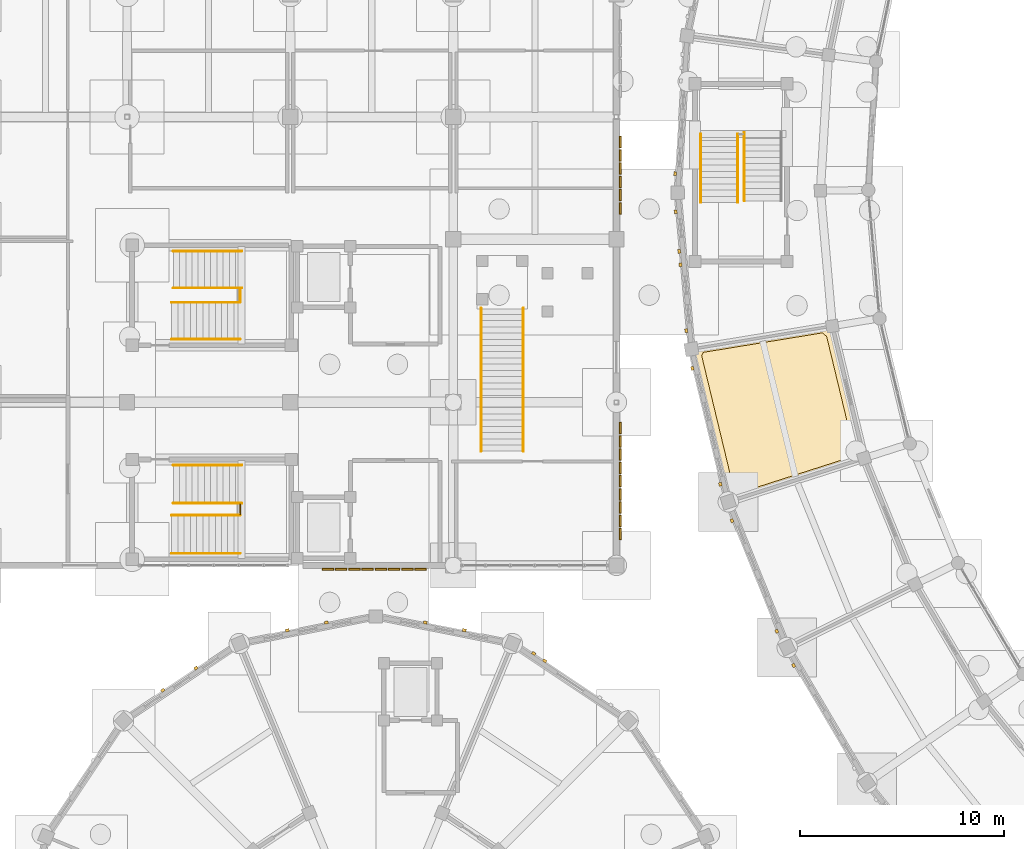
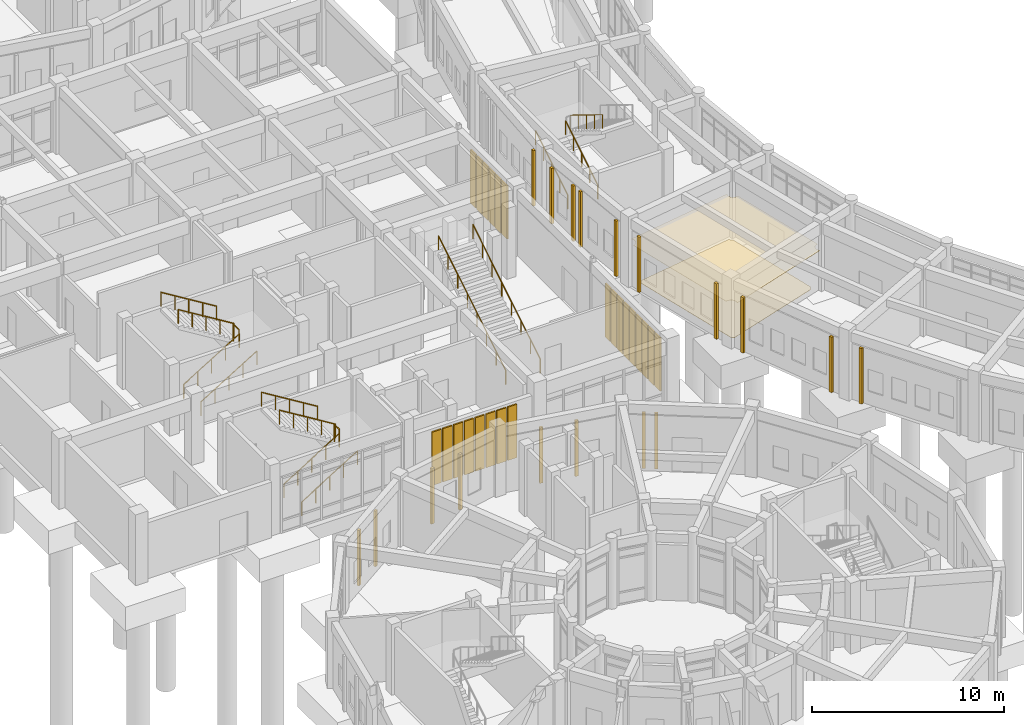
# One storey, part 141 of 153: 23 shading devices, 20 coverings, 15 railings.
"""IFC4 building model written with IfcOpenShell, lengths in metres."""

from ifc_helpers import new_model, si_unit, direction, frame, origin, origin_2d, place, context, subcontext, project, spatial, polyline, rectangle, circle, outline, extrude, material, layer, layer_set, type_object, element, save


model = new_model("IFC4")

# Units and contexts
model_context = context("Model", 3, precision=1e-05, world=origin(), true_north=direction((0.0, 1.0)))
body_context = subcontext(model_context, "Body", "Model", "MODEL_VIEW")
ifc_project = project(units=[si_unit("LENGTHUNIT", "METRE"), si_unit("AREAUNIT", "SQUARE_METRE"), si_unit("VOLUMEUNIT", "CUBIC_METRE"), si_unit("PLANEANGLEUNIT", "RADIAN"), si_unit("MASSUNIT", "GRAM", prefix="KILO")], contexts=[model_context])

# Site, building, storey
site_placement = place(None, origin())
site = spatial("IfcSite", under=ifc_project, at=site_placement, CompositionType="ELEMENT")
building_placement = place(site_placement, origin())
building = spatial("IfcBuilding", under=site, at=building_placement, Name="Celadon Cloister-Ring School", CompositionType="ELEMENT")
storey_placement = place(building_placement, origin())
storey = spatial("IfcBuildingStorey", under=building, at=storey_placement, Name="L00", CompositionType="ELEMENT", Elevation=0.0)

# Coverings
ifc_material_1 = material(Name="Mineral-fibre acoustic ceiling board")
ifc_layer_1 = layer(ifc_material_1, 0.02001953125)
ifc_layer_set_1 = layer_set([ifc_layer_1], Name="Mineral-fibre acoustic ceiling board")
covering_type_1 = type_object("IfcCoveringType", Name="CV-CL1", PredefinedType="CEILING", material=ifc_layer_set_1)
covering_1_placement = place(storey_placement, frame((0.0, 0.0, 2.550048828125)))
element("IfcCovering", 1, at=covering_1_placement, inside=storey, type_object=covering_type_1, Name="Acoustic Ceiling 0006", PredefinedType="CEILING", context=body_context, shape_type="SweptSolid", body=[
    extrude(outline(polyline([(43.946044921875, 45.009033203125), (37.867919921875, 43.052001953125), (37.822021484375, 43.0439453125), (37.830078125, 43.117919921875), (37.81494140625, 43.218017578125), (37.7890625, 43.281005859375), (37.72900390625, 43.362060546875), (37.64794921875, 43.422119140625), (37.552001953125, 43.4560546875), (37.450927734375, 43.4609375), (37.384033203125, 43.447998046875), (35.742919921875, 50.26806640625), (35.81396484375, 50.2880859375), (35.90087890625, 50.340087890625), (35.948974609375, 50.387939453125), (36.0009765625, 50.47509765625), (36.02490234375, 50.572998046875), (36.02001953125, 50.674072265625), (35.986083984375, 50.77001953125), (35.947998046875, 50.826904296875), (35.992919921875, 50.840087890625), (42.2451171875, 51.864013671875), (42.297119140625, 51.864013671875), (42.27197265625, 51.76806640625), (42.27587890625, 51.675048828125), (42.30810546875, 51.5859375), (42.364013671875, 51.510986328125), (42.43896484375, 51.455078125), (42.528076171875, 51.423095703125), (42.62109375, 51.4189453125), (42.7041015625, 51.43798828125), (44.114990234375, 45.573974609375), (44.028076171875, 45.552001953125), (43.947021484375, 45.5029296875), (43.884033203125, 45.43408203125), (43.843994140625, 45.34912109375), (43.830078125, 45.256103515625), (43.843994140625, 45.1630859375), (43.884033203125, 45.077880859375), (43.946044921875, 45.009033203125)])), origin(), (0.0, 0.0, 1.0), 0.02001953125),
])
ifc_material_2 = material(Name="Polished cement-marble terrazzo tile", Category="masonry")
ifc_layer_2 = layer(ifc_material_2, 0.01806640625)
ifc_layer_set_2 = layer_set([ifc_layer_2], Name="Polished cement-marble terrazzo tile")
covering_type_2 = type_object("IfcCoveringType", Name="CV-FL1", PredefinedType="FLOORING", material=ifc_layer_set_2)
covering_2_placement = place(storey_placement, origin())
element("IfcCovering", 2, at=covering_2_placement, inside=storey, type_object=covering_type_2, Name="Terrazzo Flooring 0005", PredefinedType="FLOORING", context=body_context, shape_type="SweptSolid", body=[
    extrude(outline(polyline([(36.180908203125, 50.283935546875), (36.18310546875, 50.287109375), (36.200927734375, 50.31591796875), (36.2119140625, 50.3369140625), (36.22705078125, 50.367919921875), (36.236083984375, 50.39111328125), (36.248046875, 50.423095703125), (36.2548828125, 50.446044921875), (36.2548828125, 50.447998046875), (42.125, 51.407958984375), (42.14208984375, 51.385009765625), (42.156982421875, 51.365966796875), (42.177978515625, 51.343017578125), (42.196044921875, 51.324951171875), (42.218994140625, 51.303955078125), (42.238037109375, 51.2890625), (42.262939453125, 51.27001953125), (42.283935546875, 51.256103515625), (42.30908203125, 51.240966796875), (43.674072265625, 45.569091796875), (43.6689453125, 45.56201171875), (43.653076171875, 45.534912109375), (43.64208984375, 45.513916015625), (43.6279296875, 45.485107421875), (43.618896484375, 45.462890625), (43.60791015625, 45.43310546875), (43.60107421875, 45.409912109375), (43.593994140625, 45.37890625), (43.589111328125, 45.35498046875), (43.5859375, 45.3369140625), (37.922119140625, 43.52099609375), (37.9140625, 43.530029296875), (37.89697265625, 43.547119140625), (37.8720703125, 43.570068359375), (37.85302734375, 43.5849609375), (37.825927734375, 43.60595703125), (37.804931640625, 43.618896484375), (37.781982421875, 43.633056640625), (36.180908203125, 50.283935546875)])), origin(), (0.0, 0.0, 1.0), 0.01806640625),
])
ifc_material_3 = material(Name="Perforated terracotta clay brick masonry", Category="masonry")
ifc_layer_3 = layer(ifc_material_3, 0.139892578125)
ifc_layer_set_3 = layer_set([ifc_layer_3], Name="Perforated terracotta clay brick masonry")
covering_type_3 = type_object("IfcCoveringType", Name="CV-SC1", PredefinedType="CLADDING", material=ifc_layer_set_3)
for number, where, z_axis, x_axis, name in (
    (3, (34.884033203125, 59.217041015625, 0.0), (0.0, 0.0, 1.0), (0.06028200911, 0.99818138601, 0.0), "Brick Screen Rib 0021"),
    (4, (35.424072265625, 51.514892578125, 0.0), (0.0, 0.0, 1.0), (-0.087746881202, 0.996142803437, 0.0), "Brick Screen Rib 0025"),
    (5, (35.138916015625, 54.751953125, 0.0), (0.0, 0.0, 1.0), (-0.087746881202, 0.996142803437, 0.0), "Brick Screen Rib 0026"),
    (6, (35.08203125, 55.39990234375, 0.0), (0.0, 0.0, 1.0), (-0.087746881202, 0.996142803437, 0.0), "Brick Screen Rib 0027"),
    (7, (34.910888671875, 57.342041015625, 0.0), (0.0, 0.0, 1.0), (-0.087746881202, 0.996142803437, 0.0), "Brick Screen Rib 0028"),
    (8, (37.095947265625, 43.97705078125, 0.0), (0.0, 0.0, 1.0), (-0.233988401232, 0.972239388263, 0.0), "Brick Screen Rib 0029"),
    (9, (35.72705078125, 49.6650390625, 0.0), (0.0, 0.0, 1.0), (-0.233988401232, 0.972239388263, 0.0), "Brick Screen Rib 0030"),
    (10, (39.863037109375, 36.77001953125, 0.0), (0.0, 0.0, 1.0), (-0.375205264473, 0.926941750873, 0.0), "Brick Screen Rib 0031"),
    (11, (37.66796875, 42.19189453125, 0.0), (0.0, 0.0, 1.0), (-0.375205264473, 0.926941750873, 0.0), "Brick Screen Rib 0032"),
    (12, (40.694091796875, 35.089111328125, 0.0), (0.0, 0.0, 1.0), (-0.507809026694, 0.861469670045, 0.0), "Brick Screen Rib 0034"),
    (13, (27.94189453125, 35.681884765625, 0.0), (0.0, 0.0, 1.0), (0.831392031959, -0.555686322663, 0.0), "Brick Screen Rib 0572"),
    (14, (28.48291015625, 35.321044921875, 0.0), (0.0, 0.0, 1.0), (0.831392031959, -0.555686322663, 0.0), "Brick Screen Rib 0573"),
    (15, (22.626953125, 37.197998046875, 0.0), (0.0, 0.0, 1.0), (0.980775064153, -0.195141675546, 0.0), "Brick Screen Rib 0576"),
    (16, (24.5390625, 36.81689453125, 0.0), (0.0, 0.0, 1.0), (0.980775064153, -0.195141675546, 0.0), "Brick Screen Rib 0577"),
    (17, (15.861083984375, 36.81689453125, 0.0), (0.0, 0.0, 1.0), (0.980775064153, 0.195141675546, 0.0), "Brick Screen Rib 0578"),
    (18, (17.77294921875, 37.197998046875, 0.0), (0.0, 0.0, 1.0), (0.980775064153, 0.195141675546, 0.0), "Brick Screen Rib 0579"),
    (19, (9.756103515625, 33.8759765625, 0.0), (0.0, 0.0, 1.0), (0.831392031959, 0.555686322663, 0.0), "Brick Screen Rib 0580"),
    (20, (11.376953125, 34.9599609375, 0.0), (0.0, 0.0, 1.0), (0.831392031959, 0.555686322663, 0.0), "Brick Screen Rib 0581"),
):
    element("IfcCovering", number, at=place(storey_placement, frame(where, z_axis=z_axis, x_axis=x_axis)), inside=storey, type_object=covering_type_3, Name=name, PredefinedType="CLADDING", context=body_context, shape_type="SweptSolid", body=[
        extrude(rectangle(XDim=0.179931640625, YDim=0.139892578125, at=origin_2d()), origin(), (0.0, 0.0, 1.0), 3.530029296875),
    ])

# Railings
ifc_material_4 = material(Name="Structural steel S355JR", Category="steel")
railing_type_1 = type_object("IfcRailingType", Name="RL-BL2", PredefinedType="BALUSTRADE", material=ifc_material_4)
railing_1_placement = place(storey_placement, frame((13.544921875, 42.5, 2.25)))
element("IfcRailing", 21, at=railing_1_placement, inside=storey, type_object=railing_type_1, Name="Interior Guard 0005", PredefinedType="BALUSTRADE", context=body_context, shape_type="SweptSolid", body=[
    extrude(circle(Radius=0.02392578125, at=origin_2d()), frame((0.0, 0.0, 1.09619140625), z_axis=(0.0, 1.0, 0.0), x_axis=(-1.0, 0.0, 0.0)), (0.0, 0.0, 1.0), 0.5),
    extrude(circle(Radius=0.02099609375, at=origin_2d()), origin(), (0.0, 0.0, 1.0), 1.072021484375),
    extrude(circle(Radius=0.02099609375, at=origin_2d()), frame((0.0, 0.5, 0.0)), (0.0, 0.0, 1.0), 1.072021484375),
])
railing_2_placement = place(storey_placement, frame((13.544921875, 52.93994140625, 2.25)))
element("IfcRailing", 22, at=railing_2_placement, inside=storey, type_object=railing_type_1, Name="Interior Guard 0040", PredefinedType="BALUSTRADE", context=body_context, shape_type="SweptSolid", body=[
    extrude(circle(Radius=0.02392578125, at=origin_2d()), frame((0.0, 0.0, 1.09619140625), z_axis=(0.0, 1.0, 0.0), x_axis=(-1.0, 0.0, 0.0)), (0.0, 0.0, 1.0), 0.6201171875),
    extrude(circle(Radius=0.02099609375, at=origin_2d()), origin(), (0.0, 0.0, 1.0), 1.072021484375),
    extrude(circle(Radius=0.02099609375, at=origin_2d()), frame((0.0, 0.6201171875, 0.0)), (0.0, 0.0, 1.0), 1.072021484375),
])
ifc_material_5 = material(Name="Structural steel S355JR", Category="steel")
railing_type_2 = type_object("IfcRailingType", Name="RL-HR1", PredefinedType="HANDRAIL", material=ifc_material_5)
for number, where, name in (
    (23, (10.18994140625, 40.5849609375, 0.18798828125), "Stair Handrail 0001"),
    (24, (10.18994140625, 42.455078125, 0.18798828125), "Stair Handrail 0002"),
):
    element("IfcRailing", number, at=place(storey_placement, frame(where)), inside=storey, type_object=railing_type_2, Name=name, PredefinedType="HANDRAIL", context=body_context, shape_type="SweptSolid", body=[
        extrude(circle(Radius=0.02099609375, at=origin_2d()), frame((0.0, 0.0, 0.87890625), z_axis=(0.85195193322, 0.0, 0.523619999125), x_axis=(0.0, 1.0, 0.0)), (0.0, 0.0, 1.0), 3.93798828125),
        extrude(circle(Radius=0.01806640625, at=origin_2d()), origin(), (0.0, 0.0, 1.0), 0.85791015625),
        extrude(circle(Radius=0.01806640625, at=origin_2d()), frame((0.8388671875, 0.0, 0.515625)), (0.0, 0.0, 1.0), 0.85791015625),
        extrude(circle(Radius=0.01806640625, at=origin_2d()), frame((1.677490234375, 0.0, 1.031005859375)), (0.0, 0.0, 1.0), 0.85791015625),
        extrude(circle(Radius=0.01806640625, at=origin_2d()), frame((2.51611328125, 0.0, 1.54638671875)), (0.0, 0.0, 1.0), 0.85791015625),
        extrude(circle(Radius=0.01806640625, at=origin_2d()), frame((3.35498046875, 0.0, 2.06201171875)), (0.0, 0.0, 1.0), 0.85791015625),
    ])
for number, where, name in (
    (25, (13.625, 44.9150390625, 2.43798828125), "Stair Handrail 0003"),
    (26, (13.625, 43.044921875, 2.43798828125), "Stair Handrail 0004"),
):
    element("IfcRailing", number, at=place(storey_placement, frame(where)), inside=storey, type_object=railing_type_2, Name=name, PredefinedType="HANDRAIL", context=body_context, shape_type="SweptSolid", body=[
        extrude(circle(Radius=0.02099609375, at=origin_2d()), frame((0.0, 0.0, 0.87890625), z_axis=(-0.85195193322, 0.0, 0.523619999125), x_axis=(0.0, -1.0, 0.0)), (0.0, 0.0, 1.0), 3.93798828125),
        extrude(circle(Radius=0.01806640625, at=origin_2d()), origin(), (0.0, 0.0, 1.0), 0.85791015625),
        extrude(circle(Radius=0.01806640625, at=origin_2d()), frame((-0.8388671875, 0.0, 0.515625)), (0.0, 0.0, 1.0), 0.85791015625),
        extrude(circle(Radius=0.01806640625, at=origin_2d()), frame((-1.677490234375, 0.0, 1.031005859375)), (0.0, 0.0, 1.0), 0.85791015625),
        extrude(circle(Radius=0.01806640625, at=origin_2d()), frame((-2.51611328125, 0.0, 1.54638671875)), (0.0, 0.0, 1.0), 0.85791015625),
        extrude(circle(Radius=0.01806640625, at=origin_2d()), frame((-3.35498046875, 0.0, 2.06201171875)), (0.0, 0.0, 1.0), 0.85791015625),
    ])
for number, where, name in (
    (27, (10.18994140625, 51.0849609375, 0.18798828125), "Stair Handrail 0036"),
    (28, (10.18994140625, 52.89501953125, 0.18798828125), "Stair Handrail 0037"),
):
    element("IfcRailing", number, at=place(storey_placement, frame(where)), inside=storey, type_object=railing_type_2, Name=name, PredefinedType="HANDRAIL", context=body_context, shape_type="SweptSolid", body=[
        extrude(circle(Radius=0.02099609375, at=origin_2d()), frame((0.0, 0.0, 0.87890625), z_axis=(0.85195193322, 0.0, 0.523619999125), x_axis=(0.0, 1.0, 0.0)), (0.0, 0.0, 1.0), 3.93798828125),
        extrude(circle(Radius=0.01806640625, at=origin_2d()), origin(), (0.0, 0.0, 1.0), 0.85791015625),
        extrude(circle(Radius=0.01806640625, at=origin_2d()), frame((0.8388671875, 0.0, 0.515625)), (0.0, 0.0, 1.0), 0.85791015625),
        extrude(circle(Radius=0.01806640625, at=origin_2d()), frame((1.677490234375, 0.0, 1.031005859375)), (0.0, 0.0, 1.0), 0.85791015625),
        extrude(circle(Radius=0.01806640625, at=origin_2d()), frame((2.51611328125, 0.0, 1.54638671875)), (0.0, 0.0, 1.0), 0.85791015625),
        extrude(circle(Radius=0.01806640625, at=origin_2d()), frame((3.35498046875, 0.0, 2.06201171875)), (0.0, 0.0, 1.0), 0.85791015625),
    ])
for number, where, name in (
    (29, (13.625, 55.4150390625, 2.43798828125), "Stair Handrail 0038"),
    (30, (13.625, 53.60498046875, 2.43798828125), "Stair Handrail 0039"),
):
    element("IfcRailing", number, at=place(storey_placement, frame(where)), inside=storey, type_object=railing_type_2, Name=name, PredefinedType="HANDRAIL", context=body_context, shape_type="SweptSolid", body=[
        extrude(circle(Radius=0.02099609375, at=origin_2d()), frame((0.0, 0.0, 0.87890625), z_axis=(-0.85195193322, 0.0, 0.523619999125), x_axis=(0.0, -1.0, 0.0)), (0.0, 0.0, 1.0), 3.93798828125),
        extrude(circle(Radius=0.01806640625, at=origin_2d()), origin(), (0.0, 0.0, 1.0), 0.85791015625),
        extrude(circle(Radius=0.01806640625, at=origin_2d()), frame((-0.8388671875, 0.0, 0.515625)), (0.0, 0.0, 1.0), 0.85791015625),
        extrude(circle(Radius=0.01806640625, at=origin_2d()), frame((-1.677490234375, 0.0, 1.031005859375)), (0.0, 0.0, 1.0), 0.85791015625),
        extrude(circle(Radius=0.01806640625, at=origin_2d()), frame((-2.51611328125, 0.0, 1.54638671875)), (0.0, 0.0, 1.0), 0.85791015625),
        extrude(circle(Radius=0.01806640625, at=origin_2d()), frame((-3.35498046875, 0.0, 2.06201171875)), (0.0, 0.0, 1.0), 0.85791015625),
    ])
for number, where, name in (
    (31, (37.945068359375, 57.800048828125, 0.18798828125), "Stair Handrail 0232"),
    (32, (36.135009765625, 57.800048828125, 0.18798828125), "Stair Handrail 0233"),
):
    element("IfcRailing", number, at=place(storey_placement, frame(where)), inside=storey, type_object=railing_type_2, Name=name, PredefinedType="HANDRAIL", context=body_context, shape_type="SweptSolid", body=[
        extrude(circle(Radius=0.02099609375, at=origin_2d()), frame((0.0, 0.0, 0.87890625), z_axis=(0.0, 0.85195193322, 0.523619999125), x_axis=(-1.0, 0.0, 0.0)), (0.0, 0.0, 1.0), 3.93798828125),
        extrude(circle(Radius=0.01806640625, at=origin_2d()), origin(), (0.0, 0.0, 1.0), 0.85791015625),
        extrude(circle(Radius=0.01806640625, at=origin_2d()), frame((0.0, 0.8388671875, 0.515625)), (0.0, 0.0, 1.0), 0.85791015625),
        extrude(circle(Radius=0.01806640625, at=origin_2d()), frame((0.0, 1.677490234375, 1.031005859375)), (0.0, 0.0, 1.0), 0.85791015625),
        extrude(circle(Radius=0.01806640625, at=origin_2d()), frame((0.0, 2.51611328125, 1.54638671875)), (0.0, 0.0, 1.0), 0.85791015625),
        extrude(circle(Radius=0.01806640625, at=origin_2d()), frame((0.0, 3.35498046875, 2.06201171875)), (0.0, 0.0, 1.0), 0.85791015625),
    ])
railing_3_placement = place(storey_placement, frame((38.27490234375, 61.235107421875, 2.43798828125)))
element("IfcRailing", 33, at=railing_3_placement, inside=storey, type_object=railing_type_2, Name="Stair Handrail 0234", PredefinedType="HANDRAIL", context=body_context, shape_type="SweptSolid", body=[
    extrude(circle(Radius=0.02099609375, at=origin_2d()), frame((0.0, 0.0, 0.87890625), z_axis=(0.0, -0.851968929864, 0.523592343857), x_axis=(1.0, 0.0, 0.0)), (0.0, 0.0, 1.0), 3.938232421875),
    extrude(circle(Radius=0.01806640625, at=origin_2d()), origin(), (0.0, 0.0, 1.0), 0.85791015625),
    extrude(circle(Radius=0.01806640625, at=origin_2d()), frame((0.0, -0.8388671875, 0.515625)), (0.0, 0.0, 1.0), 0.85791015625),
    extrude(circle(Radius=0.01806640625, at=origin_2d()), frame((0.0, -1.677734375, 1.031005859375)), (0.0, 0.0, 1.0), 0.85791015625),
    extrude(circle(Radius=0.01806640625, at=origin_2d()), frame((0.0, -2.516357421875, 1.54638671875)), (0.0, 0.0, 1.0), 0.85791015625),
    extrude(circle(Radius=0.01806640625, at=origin_2d()), frame((0.0, -3.355224609375, 2.06201171875)), (0.0, 0.0, 1.0), 0.85791015625),
])
for number, where, name in (
    (34, (27.43505859375, 45.60009765625, 0.18798828125), "Stair Handrail 0277"),
    (35, (25.364990234375, 45.60009765625, 0.18798828125), "Stair Handrail 0278"),
):
    element("IfcRailing", number, at=place(storey_placement, frame(where)), inside=storey, type_object=railing_type_2, Name=name, PredefinedType="HANDRAIL", context=body_context, shape_type="SweptSolid", body=[
        extrude(circle(Radius=0.02099609375, at=origin_2d()), frame((0.0, 0.0, 0.87890625), z_axis=(0.0, 0.851920856522, 0.523670558866), x_axis=(-1.0, 0.0, 0.0)), (0.0, 0.0, 1.0), 8.234130859375),
        extrude(circle(Radius=0.01806640625, at=origin_2d()), origin(), (0.0, 0.0, 1.0), 0.85791015625),
        extrude(circle(Radius=0.01806640625, at=origin_2d()), frame((0.0, 1.002197265625, 0.615966796875)), (0.0, 0.0, 1.0), 0.85791015625),
        extrude(circle(Radius=0.01806640625, at=origin_2d()), frame((0.0, 2.004150390625, 1.23193359375)), (0.0, 0.0, 1.0), 0.85791015625),
        extrude(circle(Radius=0.01806640625, at=origin_2d()), frame((0.0, 3.00634765625, 1.847900390625)), (0.0, 0.0, 1.0), 0.85791015625),
        extrude(circle(Radius=0.01806640625, at=origin_2d()), frame((0.0, 4.008544921875, 2.464111328125)), (0.0, 0.0, 1.0), 0.85791015625),
        extrude(circle(Radius=0.01806640625, at=origin_2d()), frame((0.0, 5.0107421875, 3.080078125)), (0.0, 0.0, 1.0), 0.85791015625),
        extrude(circle(Radius=0.01806640625, at=origin_2d()), frame((0.0, 6.0126953125, 3.696044921875)), (0.0, 0.0, 1.0), 0.85791015625),
        extrude(circle(Radius=0.01806640625, at=origin_2d()), frame((0.0, 7.014892578125, 4.31201171875)), (0.0, 0.0, 1.0), 0.85791015625),
    ])

# Shading devices
ifc_material_6 = material(Name="Glazed celadon architectural terracotta", Category="masonry")
shading_device_type = type_object("IfcShadingDeviceType", Name="SD-02", PredefinedType="USERDEFINED", material=ifc_material_6)
for number, where, z_axis, x_axis, name in (
    (36, (32.181884765625, 60.758056640625, 0.0), (0.0, 0.0, 1.0), (0.0, -1.0, 0.0), "Celadon Sunshade Screen 0085"),
    (37, (32.181884765625, 60.10791015625, 0.0), (0.0, 0.0, 1.0), (0.0, -1.0, 0.0), "Celadon Sunshade Screen 0086"),
    (38, (32.181884765625, 59.4580078125, 0.0), (0.0, 0.0, 1.0), (0.0, -1.0, 0.0), "Celadon Sunshade Screen 0087"),
    (39, (32.181884765625, 58.806884765625, 0.0), (0.0, 0.0, 1.0), (0.0, -1.0, 0.0), "Celadon Sunshade Screen 0088"),
    (40, (32.181884765625, 58.156982421875, 0.0), (0.0, 0.0, 1.0), (0.0, -1.0, 0.0), "Celadon Sunshade Screen 0089"),
    (41, (32.181884765625, 57.508056640625, 0.0), (0.0, 0.0, 1.0), (0.0, -1.0, 0.0), "Celadon Sunshade Screen 0090"),
    (42, (32.181884765625, 46.73291015625, 0.0), (0.0, 0.0, 1.0), (0.0, -1.0, 0.0), "Celadon Sunshade Screen 0091"),
    (43, (32.181884765625, 46.0830078125, 0.0), (0.0, 0.0, 1.0), (0.0, -1.0, 0.0), "Celadon Sunshade Screen 0092"),
    (44, (32.181884765625, 45.431884765625, 0.0), (0.0, 0.0, 1.0), (0.0, -1.0, 0.0), "Celadon Sunshade Screen 0093"),
    (45, (32.181884765625, 44.781982421875, 0.0), (0.0, 0.0, 1.0), (0.0, -1.0, 0.0), "Celadon Sunshade Screen 0094"),
    (46, (32.181884765625, 44.133056640625, 0.0), (0.0, 0.0, 1.0), (0.0, -1.0, 0.0), "Celadon Sunshade Screen 0095"),
    (47, (32.181884765625, 43.48291015625, 0.0), (0.0, 0.0, 1.0), (0.0, -1.0, 0.0), "Celadon Sunshade Screen 0096"),
    (48, (32.181884765625, 42.83203125, 0.0), (0.0, 0.0, 1.0), (0.0, -1.0, 0.0), "Celadon Sunshade Screen 0097"),
    (49, (32.181884765625, 42.18310546875, 0.0), (0.0, 0.0, 1.0), (0.0, -1.0, 0.0), "Celadon Sunshade Screen 0098"),
    (50, (32.181884765625, 41.531982421875, 0.0), (0.0, 0.0, 1.0), (0.0, -1.0, 0.0), "Celadon Sunshade Screen 0099"),
    (51, (22.39990234375, 39.818115234375, 0.0), (0.0, 0.0, 1.0), (-1.0, 0.0, 0.0), "Celadon Sunshade Screen 0100"),
    (52, (21.75, 39.818115234375, 0.0), (0.0, 0.0, 1.0), (-1.0, 0.0, 0.0), "Celadon Sunshade Screen 0101"),
    (53, (21.10009765625, 39.818115234375, 0.0), (0.0, 0.0, 1.0), (-1.0, 0.0, 0.0), "Celadon Sunshade Screen 0102"),
    (54, (20.449951171875, 39.818115234375, 0.0), (0.0, 0.0, 1.0), (-1.0, 0.0, 0.0), "Celadon Sunshade Screen 0103"),
    (55, (19.800048828125, 39.818115234375, 0.0), (0.0, 0.0, 1.0), (-1.0, 0.0, 0.0), "Celadon Sunshade Screen 0104"),
    (56, (19.14990234375, 39.818115234375, 0.0), (0.0, 0.0, 1.0), (-1.0, 0.0, 0.0), "Celadon Sunshade Screen 0105"),
    (57, (18.5, 39.818115234375, 0.0), (0.0, 0.0, 1.0), (-1.0, 0.0, 0.0), "Celadon Sunshade Screen 0106"),
    (58, (17.85009765625, 39.818115234375, 0.0), (0.0, 0.0, 1.0), (-1.0, 0.0, 0.0), "Celadon Sunshade Screen 0107"),
):
    element("IfcShadingDevice", number, at=place(storey_placement, frame(where, z_axis=z_axis, x_axis=x_axis)), inside=storey, type_object=shading_device_type, Name=name, ObjectType="SUNSHADE", PredefinedType="USERDEFINED", context=body_context, shape_type="SweptSolid", body=[
        extrude(rectangle(XDim=0.56005859375, YDim=0.090087890625, at=origin_2d()), origin(), (0.0, 0.0, 1.0), 3.39990234375),
    ])

save(model, "model.ifc")
